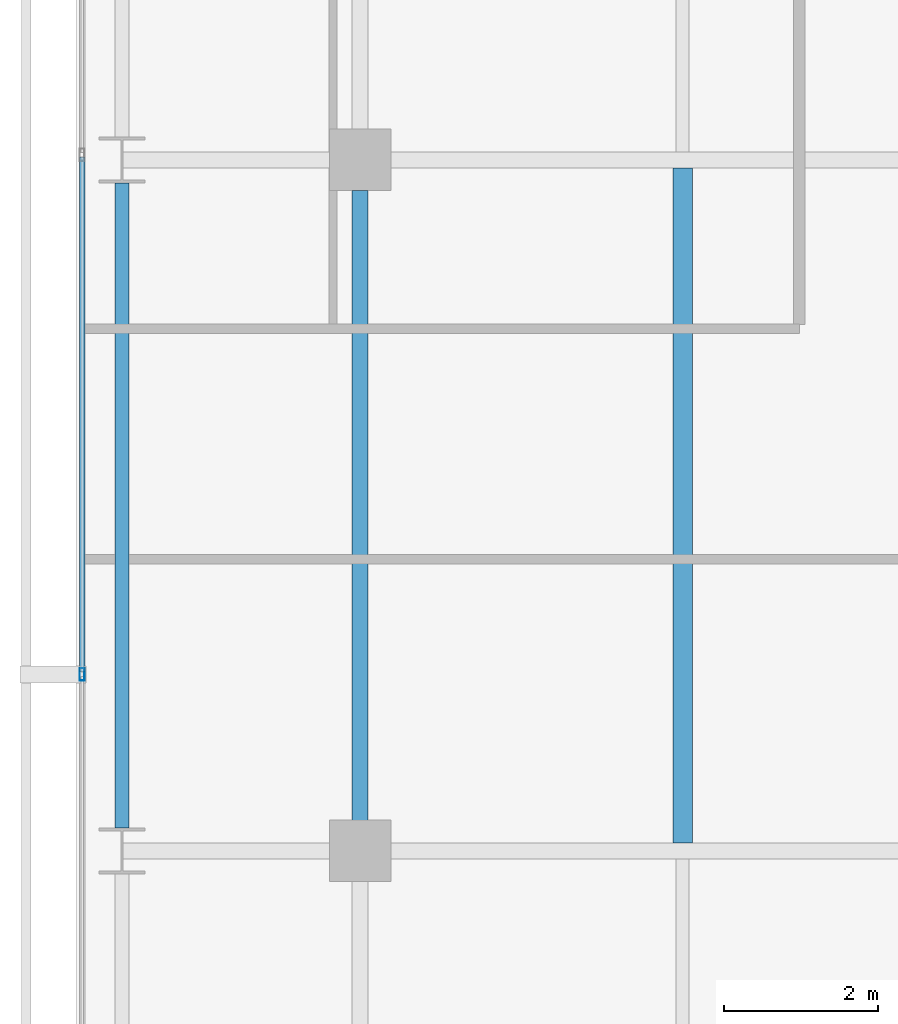
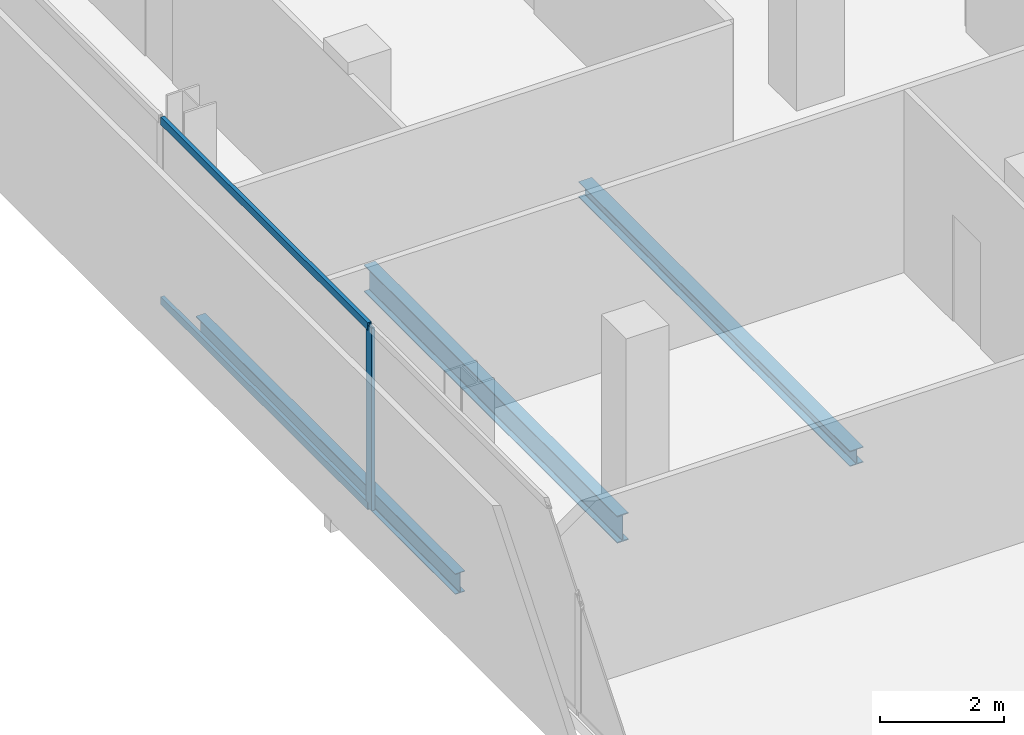
# One storey, part 10 of 33: 3 beams, 3 members, 1 element without a shape of its own.
"""IFC4 building model written with IfcOpenShell, lengths in metres."""

from ifc_helpers import new_model, si_unit, direction, frame, origin, origin_2d, place, context, subcontext, project, spatial, hollow_rectangle, i_section, extrude, material, layer, layer_set, material_profile, profile_set, type_object, element, aggregate, save


model = new_model("IFC4")

# Units and contexts
model_context = context("Model", 3, precision=1e-05, world=origin(), true_north=direction((0.0, 1.0)))
body_context = subcontext(model_context, "Body", "Model", "MODEL_VIEW")
ifc_project = project(units=[si_unit("LENGTHUNIT", "METRE"), si_unit("AREAUNIT", "SQUARE_METRE"), si_unit("VOLUMEUNIT", "CUBIC_METRE"), si_unit("PLANEANGLEUNIT", "RADIAN"), si_unit("MASSUNIT", "GRAM", prefix="KILO")], contexts=[model_context])

# Site, building, storey
site_placement = place(None, origin())
site = spatial("IfcSite", under=ifc_project, at=site_placement, CompositionType="ELEMENT")
building_placement = place(site_placement, origin())
building = spatial("IfcBuilding", under=site, at=building_placement, Name="Maruvema Waterfront Hotel and Observation Tower", CompositionType="ELEMENT")
storey_placement = place(building_placement, frame((0.0, 0.0, 204.39990234375)))
storey = spatial("IfcBuildingStorey", under=building, at=storey_placement, Name="L50", CompositionType="ELEMENT", Elevation=204.39990234375)

# Curtain wall, members
ifc_material_1 = material(Name="Anodised bronze aluminium and solar-control low-E IGU", Category="aluminium")
ifc_layer = layer(ifc_material_1, 0.159912109375, Name="Zone 2 Amber Inner Thermal Curtain Wall System CW-03")
ifc_layer_set = layer_set([ifc_layer], Name="Anodised bronze aluminium and solar-control low-E IGU")
curtain_wall_type = type_object("IfcCurtainWallType", Name="Zone 2 Amber Inner Thermal Curtain Wall System CW-03", PredefinedType="USERDEFINED", material=ifc_layer_set)
curtain_wall_placement = place(storey_placement, origin())
curtain_wall = element("IfcCurtainWall", 1, at=curtain_wall_placement, inside=storey, type_object=curtain_wall_type, Name="L50 Curtain Wall CW-L50-W", ObjectType="UNITISED CURTAIN WALL", PredefinedType="USERDEFINED")
ifc_material_2 = material(Name="Anodised architectural bronze aluminium", Category="aluminium")
ifc_material_profile_1 = material_profile(ifc_material_2, hollow_rectangle(XDim=0.070068359375, YDim=0.14990234375, WallThickness=0.00390625, at=origin_2d()), Name="ALU-T70x150")
ifc_profile_set_1 = profile_set([ifc_material_profile_1], Name="Anodised architectural bronze aluminium")
member_type_1 = type_object("IfcMemberType", Name="Curtain Wall Horizontal Transom ALU-T70x150", PredefinedType="USERDEFINED", material=ifc_profile_set_1)
member_1_placement = place(storey_placement, frame((13.179931640625, 36.03662109375, 0.030029296875), z_axis=(0.0, -1.0, 0.0), x_axis=(1.0, 0.0, 0.0)))
member_1 = element("IfcMember", 2, at=member_1_placement, type_object=member_type_1, Name="CW-03 transom 3.1", ObjectType="TRANSOM", PredefinedType="USERDEFINED", context=body_context, shape_type="SweptSolid", body=[
    extrude(hollow_rectangle(XDim=0.070068359375, YDim=0.14990234375, WallThickness=0.00390625, at=origin_2d()), origin(), (0.0, 0.0, 1.0), 6.70654296875),
])
member_2_placement = place(storey_placement, frame((13.179931640625, 36.03662109375, 3.580078125), z_axis=(0.0, -1.0, 0.0), x_axis=(1.0, 0.0, 0.0)))
member_2 = element("IfcMember", 3, at=member_2_placement, type_object=member_type_1, Name="CW-03 transom 3.2", ObjectType="TRANSOM", PredefinedType="USERDEFINED", context=body_context, shape_type="SweptSolid", body=[
    extrude(hollow_rectangle(XDim=0.070068359375, YDim=0.14990234375, WallThickness=0.00390625, at=origin_2d()), origin(), (0.0, 0.0, 1.0), 6.70654296875),
])
ifc_material_3 = material(Name="Anodised architectural bronze aluminium", Category="aluminium")
ifc_material_profile_2 = material_profile(ifc_material_3, hollow_rectangle(XDim=0.06494140625, YDim=0.1650390625, WallThickness=0.00390625, at=origin_2d()), Name="ALU-M65x165")
ifc_profile_set_2 = profile_set([ifc_material_profile_2], Name="Anodised architectural bronze aluminium")
member_type_2 = type_object("IfcMemberType", Name="Curtain Wall Primary Mullion ALU-M65x165", PredefinedType="MULLION", material=ifc_profile_set_2)
member_3_placement = place(storey_placement, frame((13.179931640625, 29.300048828125, 0.0), z_axis=(0.0, 0.0, 1.0), x_axis=(1.0, 0.0, 0.0)))
member_3 = element("IfcMember", 4, at=member_3_placement, type_object=member_type_2, Name="CW-03 mullion 4", PredefinedType="MULLION", context=body_context, shape_type="SweptSolid", body=[
    extrude(hollow_rectangle(XDim=0.06494140625, YDim=0.1650390625, WallThickness=0.00390625, at=origin_2d()), origin(), (0.0, 0.0, 1.0), 3.610107421875),
])
aggregate(curtain_wall, [member_3, member_1, member_2])

# Beams
ifc_material_4 = material(Name="Steel ASTM A572 Grade 50", Category="steel")
ifc_material_profile_3 = material_profile(ifc_material_4, i_section(OverallWidth=0.178955078125, OverallDepth=0.409912109375, WebThickness=0.0087890625, FlangeThickness=0.014404296875, FilletRadius=0.014892578125, at=origin_2d()), Name="W410x67.0")
ifc_profile_set_3 = profile_set([ifc_material_profile_3], Name="Steel ASTM A572 Grade 50")
beam_type_1 = type_object("IfcBeamType", Name="Perimeter Spandrel Beam W410x67.0", PredefinedType="SPANDREL", material=ifc_profile_set_3)
beam_1_placement = place(storey_placement, frame((13.699951171875, 27.300048828125, -0.44482421875), z_axis=(0.0, 1.0, 0.0), x_axis=(-1.0, 0.0, 0.0)))
element("IfcBeam", 5, at=beam_1_placement, inside=storey, type_object=beam_type_1, Name="L50 Floor Girder NS-03", PredefinedType="SPANDREL", context=body_context, shape_type="SweptSolid", body=[
    extrude(i_section(OverallWidth=0.178955078125, OverallDepth=0.409912109375, WebThickness=0.0087890625, FlangeThickness=0.014404296875, FilletRadius=0.014892578125, at=origin_2d()), origin(), (0.0, 0.0, 1.0), 8.39990234375),
])
ifc_material_5 = material(Name="Steel ASTM A572 Grade 50", Category="steel")
ifc_material_profile_4 = material_profile(ifc_material_5, i_section(OverallWidth=0.2109375, OverallDepth=0.5390625, WebThickness=0.01171875, FlangeThickness=0.018798828125, FilletRadius=0.014892578125, at=origin_2d()), Name="W530x109.0")
ifc_profile_set_4 = profile_set([ifc_material_profile_4], Name="Steel ASTM A572 Grade 50")
beam_type_2 = type_object("IfcBeamType", Name="Primary Floor Girder W530x109.0", PredefinedType="BEAM", material=ifc_profile_set_4)
beam_2_placement = place(storey_placement, frame((16.800048828125, 27.39990234375, -0.509521484375), z_axis=(0.0, 1.0, 0.0), x_axis=(-1.0, 0.0, 0.0)))
element("IfcBeam", 6, at=beam_2_placement, inside=storey, type_object=beam_type_2, Name="L50 Floor Girder NS-07", PredefinedType="BEAM", context=body_context, shape_type="SweptSolid", body=[
    extrude(i_section(OverallWidth=0.2109375, OverallDepth=0.5390625, WebThickness=0.01171875, FlangeThickness=0.018798828125, FilletRadius=0.014892578125, at=origin_2d()), origin(), (0.0, 0.0, 1.0), 8.2001953125),
])
ifc_material_6 = material(Name="Steel ASTM A572 Grade 50", Category="steel")
ifc_material_profile_5 = material_profile(ifc_material_6, i_section(OverallWidth=0.25390625, OverallDepth=0.305908203125, WebThickness=0.0087890625, FlangeThickness=0.0146484375, FilletRadius=0.014892578125, at=origin_2d()), Name="W310x79.0")
ifc_profile_set_5 = profile_set([ifc_material_profile_5], Name="Steel ASTM A572 Grade 50")
beam_type_3 = type_object("IfcBeamType", Name="Secondary Floor Joist W310x79.0", PredefinedType="JOIST", material=ifc_profile_set_5)
beam_3_placement = place(storey_placement, frame((21.0, 27.10546875, -0.392822265625), z_axis=(0.0, 1.0, 0.0), x_axis=(-1.0, 0.0, 0.0)))
element("IfcBeam", 7, at=beam_3_placement, inside=storey, type_object=beam_type_3, Name="L50 Secondary Floor Joist JS-03", PredefinedType="JOIST", context=body_context, shape_type="SweptSolid", body=[
    extrude(i_section(OverallWidth=0.25390625, OverallDepth=0.305908203125, WebThickness=0.0087890625, FlangeThickness=0.0146484375, FilletRadius=0.014892578125, at=origin_2d()), origin(), (0.0, 0.0, 1.0), 8.7890625),
])

save(model, "model.ifc")
